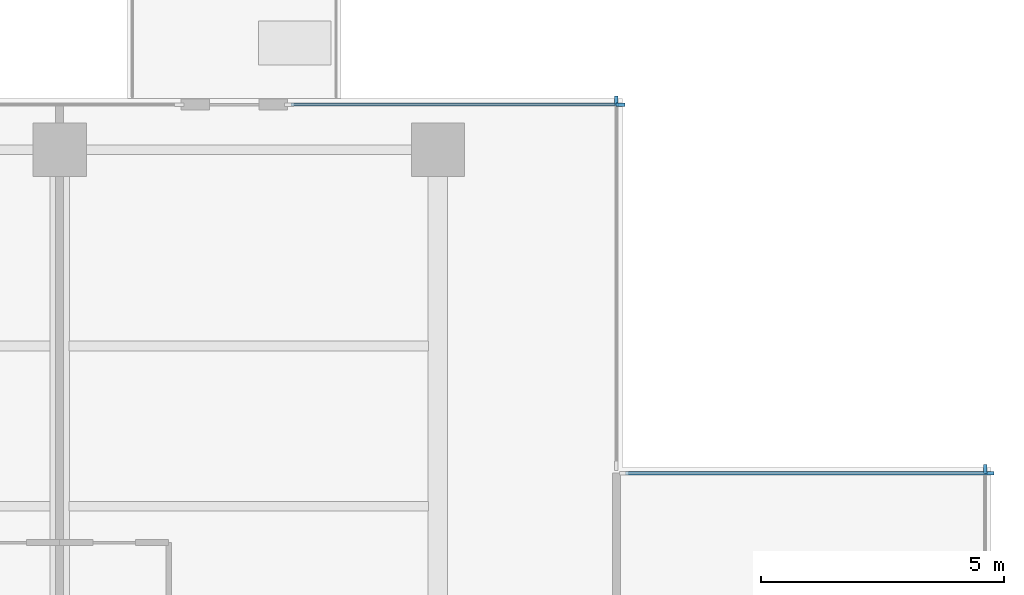
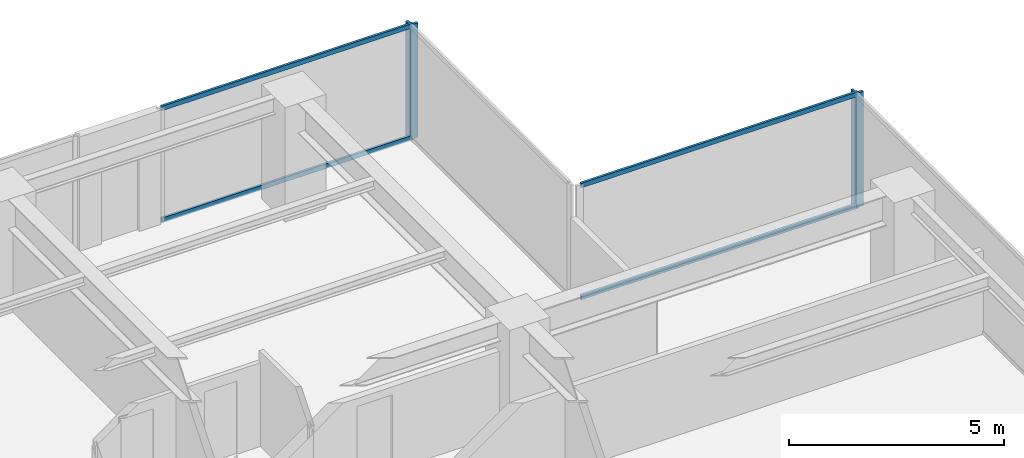
# One storey, part 5 of 15: 8 members, 4 elements without a shape of their own.
"""IFC4 building model written with IfcOpenShell, lengths in metres."""

from ifc_helpers import new_model, si_unit, direction, frame, origin, origin_2d, place, context, subcontext, project, spatial, rectangle, extrude, material, layer, layer_set, material_profile, profile_set, type_object, element, aggregate, save


model = new_model("IFC4")

# Units and contexts
model_context = context("Model", 3, precision=1e-05, world=origin(), true_north=direction((0.0, 1.0)))
body_context = subcontext(model_context, "Body", "Model", "MODEL_VIEW")
ifc_project = project(units=[si_unit("LENGTHUNIT", "METRE"), si_unit("AREAUNIT", "SQUARE_METRE"), si_unit("VOLUMEUNIT", "CUBIC_METRE"), si_unit("PLANEANGLEUNIT", "RADIAN"), si_unit("MASSUNIT", "GRAM", prefix="KILO")], contexts=[model_context])

# Site, building, storey
site_placement = place(None, origin())
site = spatial("IfcSite", under=ifc_project, at=site_placement, CompositionType="ELEMENT")
building_placement = place(site_placement, origin())
building = spatial("IfcBuilding", under=site, at=building_placement, Name="Qalmaran Belvedere Hotel", CompositionType="ELEMENT")
storey_placement = place(building_placement, frame((0.0, 0.0, 163.10009765625)))
storey = spatial("IfcBuildingStorey", under=building, at=storey_placement, Name="L41", CompositionType="ELEMENT", Elevation=163.10009765625)

# Curtain wall, member
ifc_material = material(Name="Anodised Bronze Aluminium", Category="aluminium")
ifc_layer = layer(ifc_material, 0.195068359375, Name="Anodised Bronze Aluminium")
ifc_layer_set = layer_set([ifc_layer], Name="Anodised Bronze Aluminium")
curtain_wall_type = type_object("IfcCurtainWallType", Name="CW4-TOWER-HIGHMID", PredefinedType="NOTDEFINED", material=ifc_layer_set)
curtain_wall_1_placement = place(storey_placement, origin())
curtain_wall_1 = element("IfcCurtainWall", 1, at=curtain_wall_1_placement, inside=storey, type_object=curtain_wall_type, Name="L41 Curtain Wall CW4", PredefinedType="NOTDEFINED")
ifc_material_profile_1 = material_profile(ifc_material, rectangle(XDim=0.070068359375, YDim=0.18994140625, at=origin_2d()), Name="CWM70X190")
ifc_profile_set_1 = profile_set([ifc_material_profile_1], Name="Anodised Bronze Aluminium")
member_type_1 = type_object("IfcMemberType", Name="CWM-70X190", PredefinedType="MULLION", material=ifc_profile_set_1)
member_1_placement = place(storey_placement, frame((56.080078125, 36.864990234375, 0.0), z_axis=(0.0, 0.0, 1.0), x_axis=(-1.0, 0.0, 0.0)))
member_1 = element("IfcMember", 2, at=member_1_placement, type_object=member_type_1, Name="CW4 mullion 4", PredefinedType="MULLION", context=body_context, shape_type="SweptSolid", body=[
    extrude(rectangle(XDim=0.070068359375, YDim=0.18994140625, at=origin_2d()), origin(), (0.0, 0.0, 1.0), 3.25),
])
aggregate(curtain_wall_1, [member_1])

curtain_wall_2_placement = place(storey_placement, origin())
curtain_wall_2 = element("IfcCurtainWall", 3, at=curtain_wall_2_placement, inside=storey, type_object=curtain_wall_type, Name="L41 Curtain Wall CW4", PredefinedType="NOTDEFINED")
member_2_placement = place(storey_placement, frame((56.1650390625, 36.780029296875, 0.0), z_axis=(0.0, 0.0, 1.0), x_axis=(0.0, -1.0, 0.0)))
member_2 = element("IfcMember", 4, at=member_2_placement, type_object=member_type_1, Name="CW4 mullion 1", PredefinedType="MULLION", context=body_context, shape_type="SweptSolid", body=[
    extrude(rectangle(XDim=0.070068359375, YDim=0.18994140625, at=origin_2d()), origin(), (0.0, 0.0, 1.0), 3.25),
])

curtain_wall_3_placement = place(storey_placement, origin())
curtain_wall_3 = element("IfcCurtainWall", 5, at=curtain_wall_3_placement, inside=storey, type_object=curtain_wall_type, Name="L41 Curtain Wall CW4", PredefinedType="NOTDEFINED")
member_3_placement = place(storey_placement, frame((48.47998046875, 44.465087890625, 0.0), z_axis=(0.0, 0.0, 1.0), x_axis=(-1.0, 0.0, 0.0)))
member_3 = element("IfcMember", 6, at=member_3_placement, type_object=member_type_1, Name="CW4 mullion 2", PredefinedType="MULLION", context=body_context, shape_type="SweptSolid", body=[
    extrude(rectangle(XDim=0.070068359375, YDim=0.18994140625, at=origin_2d()), origin(), (0.0, 0.0, 1.0), 3.25),
])
aggregate(curtain_wall_3, [member_3])

curtain_wall_4_placement = place(storey_placement, origin())
curtain_wall_4 = element("IfcCurtainWall", 7, at=curtain_wall_4_placement, inside=storey, type_object=curtain_wall_type, Name="L41 Curtain Wall CW4", PredefinedType="NOTDEFINED")
member_4_placement = place(storey_placement, frame((48.56494140625, 44.3798828125, 0.0), z_axis=(0.0, 0.0, 1.0), x_axis=(0.0, -1.0, 0.0)))
member_4 = element("IfcMember", 8, at=member_4_placement, type_object=member_type_1, Name="CW4 mullion 1", PredefinedType="MULLION", context=body_context, shape_type="SweptSolid", body=[
    extrude(rectangle(XDim=0.070068359375, YDim=0.18994140625, at=origin_2d()), origin(), (0.0, 0.0, 1.0), 3.25),
])

# Member
ifc_material_profile_2 = material_profile(ifc_material, rectangle(XDim=0.06494140625, YDim=0.1298828125, at=origin_2d()), Name="CWT65X130")
ifc_profile_set_2 = profile_set([ifc_material_profile_2], Name="Anodised Bronze Aluminium")
member_type_2 = type_object("IfcMemberType", Name="CWT-65X130", PredefinedType="USERDEFINED", material=ifc_profile_set_2)
member_5_placement = place(storey_placement, frame((56.1298828125, 36.780029296875, 0.032470703125), z_axis=(-1.0, 0.0, 0.0), x_axis=(0.0, -1.0, 0.0)))
member_5 = element("IfcMember", 9, at=member_5_placement, type_object=member_type_2, Name="CW4 transom 1.1", ObjectType="TRANSOM", PredefinedType="USERDEFINED", context=body_context, shape_type="SweptSolid", body=[
    extrude(rectangle(XDim=0.06494140625, YDim=0.1298828125, at=origin_2d()), origin(), (0.0, 0.0, 1.0), 7.4599609375),
])

member_6_placement = place(storey_placement, frame((56.1298828125, 36.780029296875, 3.21728515625), z_axis=(-1.0, 0.0, 0.0), x_axis=(0.0, -1.0, 0.0)))
member_6 = element("IfcMember", 10, at=member_6_placement, type_object=member_type_2, Name="CW4 transom 1.2", ObjectType="TRANSOM", PredefinedType="USERDEFINED", context=body_context, shape_type="SweptSolid", body=[
    extrude(rectangle(XDim=0.06494140625, YDim=0.1298828125, at=origin_2d()), origin(), (0.0, 0.0, 1.0), 7.4599609375),
])

aggregate(curtain_wall_2, [member_2, member_5, member_6])

member_7_placement = place(storey_placement, frame((48.530029296875, 44.3798828125, 0.032470703125), z_axis=(-1.0, 0.0, 0.0), x_axis=(0.0, -1.0, 0.0)))
member_7 = element("IfcMember", 11, at=member_7_placement, type_object=member_type_2, Name="CW4 transom 1.1", ObjectType="TRANSOM", PredefinedType="USERDEFINED", context=body_context, shape_type="SweptSolid", body=[
    extrude(rectangle(XDim=0.06494140625, YDim=0.1298828125, at=origin_2d()), origin(), (0.0, 0.0, 1.0), 6.760009765625),
])

member_8_placement = place(storey_placement, frame((48.530029296875, 44.3798828125, 3.21728515625), z_axis=(-1.0, 0.0, 0.0), x_axis=(0.0, -1.0, 0.0)))
member_8 = element("IfcMember", 12, at=member_8_placement, type_object=member_type_2, Name="CW4 transom 1.2", ObjectType="TRANSOM", PredefinedType="USERDEFINED", context=body_context, shape_type="SweptSolid", body=[
    extrude(rectangle(XDim=0.06494140625, YDim=0.1298828125, at=origin_2d()), origin(), (0.0, 0.0, 1.0), 6.760009765625),
])

aggregate(curtain_wall_4, [member_4, member_7, member_8])

save(model, "model.ifc")
